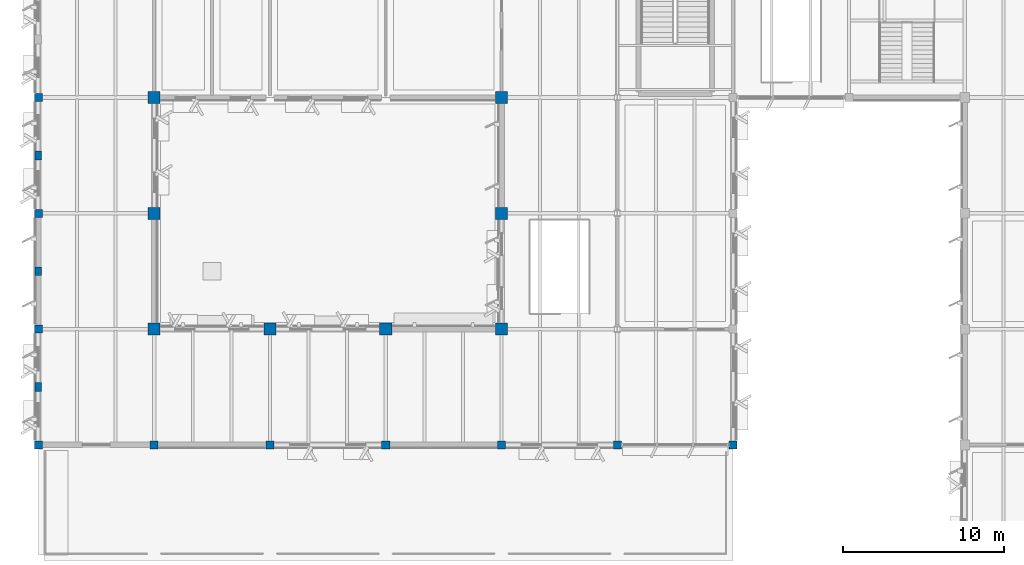
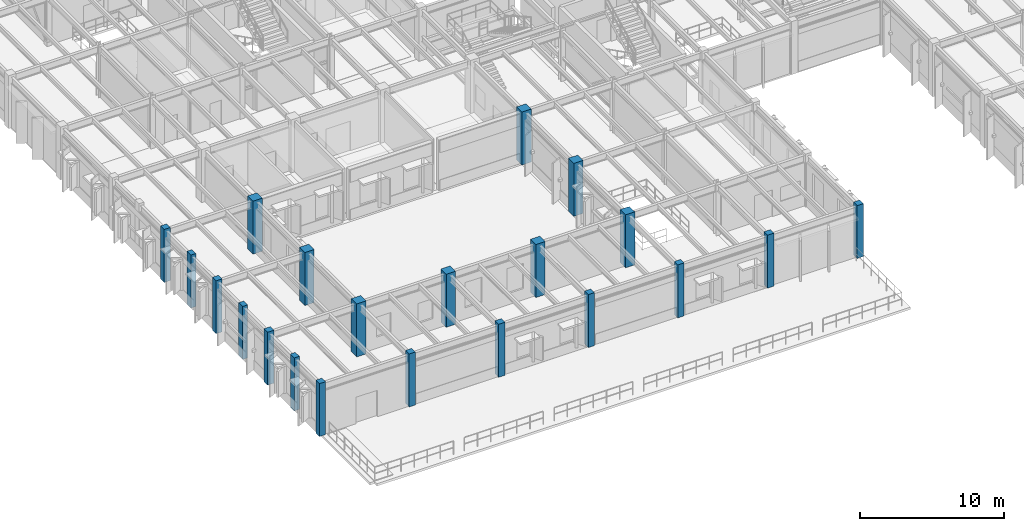
# One storey, part 1 of 92: 21 columns.
"""IFC4 building model written with IfcOpenShell, lengths in metres."""

from ifc_helpers import new_model, si_unit, direction, frame, origin, origin_2d, place, context, subcontext, project, spatial, rectangle, extrude, material, material_profile, profile_set, type_object, element, save


model = new_model("IFC4")

# Units and contexts
model_context = context("Model", 3, precision=1e-05, world=origin(), true_north=direction((0.0, 1.0)))
body_context = subcontext(model_context, "Body", "Model", "MODEL_VIEW")
ifc_project = project(units=[si_unit("LENGTHUNIT", "METRE"), si_unit("AREAUNIT", "SQUARE_METRE"), si_unit("VOLUMEUNIT", "CUBIC_METRE"), si_unit("PLANEANGLEUNIT", "RADIAN"), si_unit("MASSUNIT", "GRAM", prefix="KILO")], contexts=[model_context])

# Site, building, storey
site_placement = place(None, origin())
site = spatial("IfcSite", under=ifc_project, at=site_placement, CompositionType="ELEMENT")
building_placement = place(site_placement, origin())
building = spatial("IfcBuilding", under=site, at=building_placement, Name="Sillqori Civic Hall", CompositionType="ELEMENT")
storey_placement = place(building_placement, frame((0.0, 0.0, 5.39990234375)))
storey = spatial("IfcBuildingStorey", under=building, at=storey_placement, Name="L02", CompositionType="ELEMENT", Elevation=5.39990234375)

# Columns
ifc_material = material(Name="Concrete C35/45 (H35)", Category="concrete")
ifc_material_profile_1 = material_profile(ifc_material, rectangle(XDim=0.5, YDim=0.5, at=origin_2d()), Name="RC 500x500")
ifc_profile_set_1 = profile_set([ifc_material_profile_1], Name="Concrete C35/45 (H35)")
column_type_1 = type_object("IfcColumnType", Name="COL-RC500", PredefinedType="COLUMN", material=ifc_profile_set_1)
for number, where, z_axis, x_axis, name in (
    (1, (7.199951171875, 14.39990234375, 0.0), (0.0, 0.0, 1.0), (1.0, 0.0, 0.0), "L02 column 1-2"),
    (2, (7.199951171875, 21.60009765625, 0.0), (0.0, 0.0, 1.0), (1.0, 0.0, 0.0), "L02 column 1-3"),
    (3, (7.199951171875, 28.800048828125, 0.0), (0.0, 0.0, 1.0), (1.0, 0.0, 0.0), "L02 column 1-4"),
    (4, (7.199951171875, 36.0, 0.0), (0.0, 0.0, 1.0), (1.0, 0.0, 0.0), "L02 column 1-5"),
    (5, (14.39990234375, 14.39990234375, 0.0), (0.0, 0.0, 1.0), (1.0, 0.0, 0.0), "L02 column 2-2"),
    (6, (21.60009765625, 14.39990234375, 0.0), (0.0, 0.0, 1.0), (1.0, 0.0, 0.0), "L02 column 3-2"),
    (7, (28.800048828125, 14.39990234375, 0.0), (0.0, 0.0, 1.0), (1.0, 0.0, 0.0), "L02 column 4-2"),
    (8, (36.0, 14.39990234375, 0.0), (0.0, 0.0, 1.0), (1.0, 0.0, 0.0), "L02 column 5-2"),
    (9, (43.199951171875, 14.39990234375, 0.0), (0.0, 0.0, 1.0), (1.0, 0.0, 0.0), "L02 column 6-2"),
    (10, (50.39990234375, 14.39990234375, 0.0), (0.0, 0.0, 1.0), (1.0, 0.0, 0.0), "L02 column 7-2"),
):
    element("IfcColumn", number, at=place(storey_placement, frame(where, z_axis=z_axis, x_axis=x_axis)), inside=storey, type_object=column_type_1, Name=name, PredefinedType="COLUMN", context=body_context, shape_type="SweptSolid", body=[
        extrude(rectangle(XDim=0.5, YDim=0.5, at=origin_2d()), origin(), (0.0, 0.0, 1.0), 4.5),
    ])
ifc_material_profile_2 = material_profile(ifc_material, rectangle(XDim=0.75, YDim=0.75, at=origin_2d()), Name="RC 750x750")
ifc_profile_set_2 = profile_set([ifc_material_profile_2], Name="Concrete C35/45 (H35)")
column_type_2 = type_object("IfcColumnType", Name="COL-RC750", PredefinedType="COLUMN", material=ifc_profile_set_2)
for number, where, z_axis, x_axis, name in (
    (11, (14.39990234375, 21.60009765625, 0.0), (0.0, 0.0, 1.0), (1.0, 0.0, 0.0), "L02 column 2-3"),
    (12, (14.39990234375, 28.800048828125, 0.0), (0.0, 0.0, 1.0), (1.0, 0.0, 0.0), "L02 column 2-4"),
    (13, (14.39990234375, 36.0, 0.0), (0.0, 0.0, 1.0), (1.0, 0.0, 0.0), "L02 column 2-5"),
    (14, (21.60009765625, 21.60009765625, 0.0), (0.0, 0.0, 1.0), (1.0, 0.0, 0.0), "L02 column 3-3"),
    (15, (28.800048828125, 21.60009765625, 0.0), (0.0, 0.0, 1.0), (1.0, 0.0, 0.0), "L02 column 4-3"),
    (16, (36.0, 21.60009765625, 0.0), (0.0, 0.0, 1.0), (1.0, 0.0, 0.0), "L02 column 5-3"),
    (17, (36.0, 28.800048828125, 0.0), (0.0, 0.0, 1.0), (1.0, 0.0, 0.0), "L02 column 5-4"),
    (18, (36.0, 36.0, 0.0), (0.0, 0.0, 1.0), (1.0, 0.0, 0.0), "L02 column 5-5"),
):
    element("IfcColumn", number, at=place(storey_placement, frame(where, z_axis=z_axis, x_axis=x_axis)), inside=storey, type_object=column_type_2, Name=name, PredefinedType="COLUMN", context=body_context, shape_type="SweptSolid", body=[
        extrude(rectangle(XDim=0.75, YDim=0.75, at=origin_2d()), origin(), (0.0, 0.0, 1.0), 4.5),
    ])
ifc_material_profile_3 = material_profile(ifc_material, rectangle(XDim=0.39990234375, YDim=0.550048828125, at=origin_2d()), Name="RC 400x550")
ifc_profile_set_3 = profile_set([ifc_material_profile_3], Name="Concrete C35/45 (H35)")
column_type_3 = type_object("IfcColumnType", Name="PIL-RC400", PredefinedType="PILASTER", material=ifc_profile_set_3)
for number, where, z_axis, x_axis, name in (
    (19, (7.199951171875, 18.0, 0.0), (0.0, 0.0, 1.0), (1.0, 0.0, 0.0), "L02 facade pilaster 02"),
    (20, (7.199951171875, 25.199951171875, 0.0), (0.0, 0.0, 1.0), (1.0, 0.0, 0.0), "L02 facade pilaster 03"),
    (21, (7.199951171875, 32.39990234375, 0.0), (0.0, 0.0, 1.0), (1.0, 0.0, 0.0), "L02 facade pilaster 04"),
):
    element("IfcColumn", number, at=place(storey_placement, frame(where, z_axis=z_axis, x_axis=x_axis)), inside=storey, type_object=column_type_3, Name=name, PredefinedType="PILASTER", context=body_context, shape_type="SweptSolid", body=[
        extrude(rectangle(XDim=0.39990234375, YDim=0.550048828125, at=origin_2d()), origin(), (0.0, 0.0, 1.0), 4.5),
    ])

save(model, "model.ifc")
